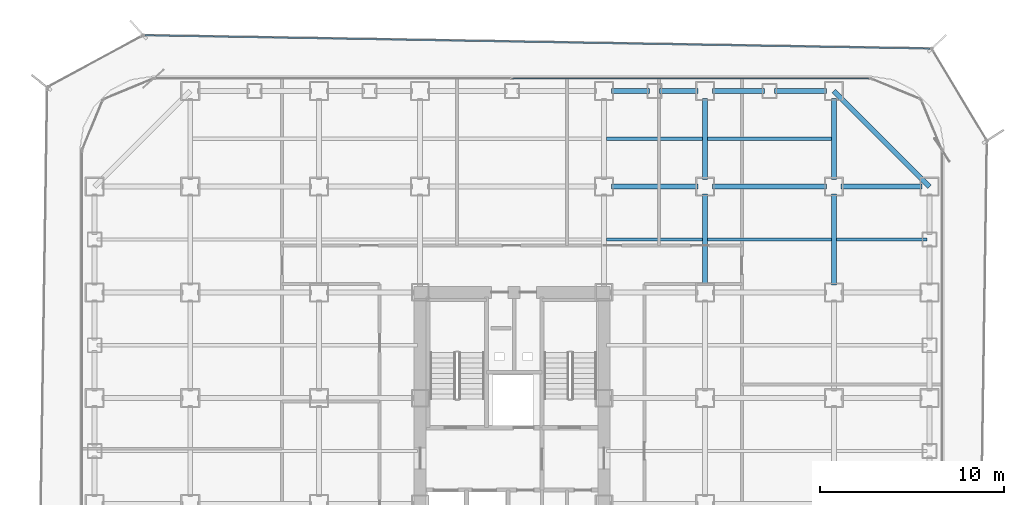
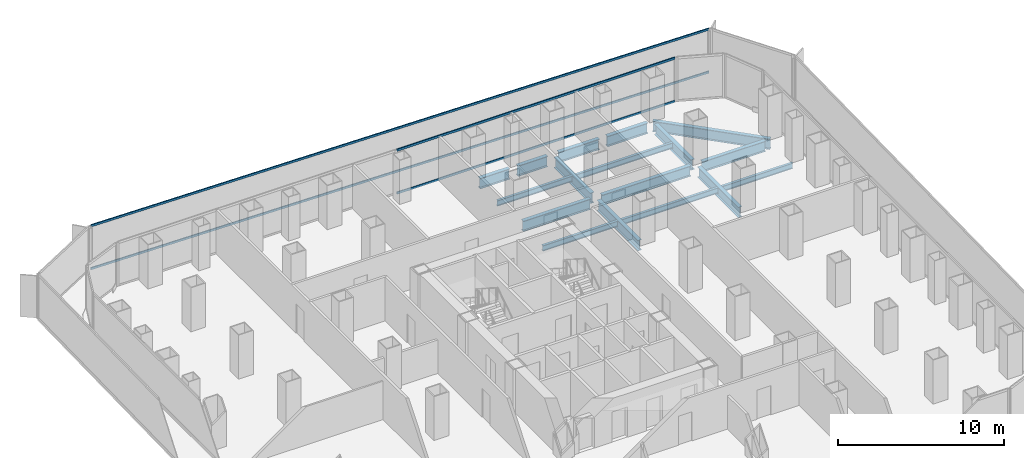
# One storey, part 14 of 22: 17 beams, 4 members, 2 elements without a shape of their own.
"""IFC4 building model written with IfcOpenShell, lengths in metres."""

from ifc_helpers import new_model, si_unit, direction, frame, origin, origin_2d, place, context, subcontext, project, spatial, hollow_rectangle, i_section, extrude, source, transform, mapped, material, layer, layer_set, material_profile, profile_set, type_object, element, aggregate, save


model = new_model("IFC4")

# Units and contexts
model_context = context("Model", 3, precision=1e-05, world=origin(), true_north=direction((0.0, 1.0)))
body_context = subcontext(model_context, "Body", "Model", "MODEL_VIEW")
ifc_project = project(units=[si_unit("LENGTHUNIT", "METRE"), si_unit("AREAUNIT", "SQUARE_METRE"), si_unit("VOLUMEUNIT", "CUBIC_METRE"), si_unit("PLANEANGLEUNIT", "RADIAN"), si_unit("MASSUNIT", "GRAM", prefix="KILO")], contexts=[model_context])

# Site, building, storey
site_placement = place(None, origin())
site = spatial("IfcSite", under=ifc_project, at=site_placement, CompositionType="ELEMENT")
building_placement = place(site_placement, origin())
building = spatial("IfcBuilding", under=site, at=building_placement, Name="Kolveth Station Tower", CompositionType="ELEMENT")
storey_placement = place(building_placement, frame((0.0, 0.0, 72.89990234375)))
storey = spatial("IfcBuildingStorey", under=building, at=storey_placement, Name="L19", CompositionType="ELEMENT", Elevation=72.89990234375)

# Beams
ifc_material_1 = material(Name="Steel S355", Category="steel")
ifc_material_profile_1 = material_profile(ifc_material_1, i_section(OverallWidth=0.26904296875, OverallDepth=0.77490234375, WebThickness=0.01708984375, FlangeThickness=0.0283203125, at=origin_2d()), Name="W760x220")
ifc_profile_set_1 = profile_set([ifc_material_profile_1], Name="Steel S355")
beam_type_1 = type_object("IfcBeamType", Name="Beam_SP1", PredefinedType="SPANDREL", material=ifc_profile_set_1)
shared_shape_1 = source(origin(), body_context, "Body", "SweptSolid", [
    extrude(i_section(OverallWidth=0.26904296875, OverallDepth=0.77490234375, WebThickness=0.01708984375, FlangeThickness=0.0283203125, at=origin_2d()), origin(), (0.0, 0.0, 1.0), 7.353759765625),
])
beam_1_placement = place(storey_placement, frame((46.199951171875, 34.5, -0.66748046875), z_axis=(-0.707106781187, 0.707106781187, 0.0), x_axis=(-0.707106781187, -0.707106781187, 0.0)))
element("IfcBeam", 1, at=beam_1_placement, inside=storey, type_object=beam_type_1, Name="L19 Corner Edge Girder BM-L19-CNR-NE", PredefinedType="SPANDREL", context=body_context, shape_type="MappedRepresentation", body=[
    mapped(shared_shape_1, transform((0.0, 0.0, 0.0), x_axis=(1.0, 0.0, 0.0), y_axis=(0.0, 1.0, 0.0), z_axis=(0.0, 0.0, 1.0), scale=1.0)),
])
shared_shape_2 = source(origin(), body_context, "Body", "SweptSolid", [
    extrude(i_section(OverallWidth=0.26904296875, OverallDepth=0.77490234375, WebThickness=0.01708984375, FlangeThickness=0.0283203125, at=origin_2d()), origin(), (0.0, 0.0, 1.0), 2.820068359375),
])
for number, where, z_axis, x_axis, name in (
    (2, (34.39990234375, 39.699951171875, -0.66748046875), (1.0, 0.0, 0.0), (0.0, 1.0, 0.0), "L19 Perimeter Spandrel BM-L19-PN-9"),
    (3, (37.780029296875, 39.699951171875, -0.66748046875), (1.0, 0.0, 0.0), (0.0, 1.0, 0.0), "L19 Perimeter Spandrel BM-L19-PN-10"),
):
    element("IfcBeam", number, at=place(storey_placement, frame(where, z_axis=z_axis, x_axis=x_axis)), inside=storey, type_object=beam_type_1, Name=name, PredefinedType="SPANDREL", context=body_context, shape_type="MappedRepresentation", body=[
        mapped(shared_shape_2, transform((0.0, 0.0, 0.0), x_axis=(1.0, 0.0, 0.0), y_axis=(0.0, 1.0, 0.0), z_axis=(0.0, 0.0, 1.0), scale=1.0)),
    ])
shared_shape_3 = source(origin(), body_context, "Body", "SweptSolid", [
    extrude(i_section(OverallWidth=0.26904296875, OverallDepth=0.77490234375, WebThickness=0.01708984375, FlangeThickness=0.0283203125, at=origin_2d()), origin(), (0.0, 0.0, 1.0), 2.070068359375),
])
for number, where, z_axis, x_axis, name in (
    (4, (28.89990234375, 39.699951171875, -0.66748046875), (1.0, 0.0, 0.0), (0.0, 1.0, 0.0), "L19 Perimeter Spandrel BM-L19-PN-7"),
    (5, (31.530029296875, 39.699951171875, -0.66748046875), (1.0, 0.0, 0.0), (0.0, 1.0, 0.0), "L19 Perimeter Spandrel BM-L19-PN-8"),
):
    element("IfcBeam", number, at=place(storey_placement, frame(where, z_axis=z_axis, x_axis=x_axis)), inside=storey, type_object=beam_type_1, Name=name, PredefinedType="SPANDREL", context=body_context, shape_type="MappedRepresentation", body=[
        mapped(shared_shape_3, transform((0.0, 0.0, 0.0), x_axis=(1.0, 0.0, 0.0), y_axis=(0.0, 1.0, 0.0), z_axis=(0.0, 0.0, 1.0), scale=1.0)),
    ])
ifc_material_profile_2 = material_profile(ifc_material_1, i_section(OverallWidth=0.26708984375, OverallDepth=0.76611328125, WebThickness=0.014892578125, FlangeThickness=0.023681640625, at=origin_2d()), Name="W760x185")
ifc_profile_set_2 = profile_set([ifc_material_profile_2], Name="Steel S355")
beam_type_2 = type_object("IfcBeamType", Name="Beam_B3", PredefinedType="BEAM", material=ifc_profile_set_2)
shared_shape_4 = source(origin(), body_context, "Body", "SweptSolid", [
    extrude(i_section(OverallWidth=0.26708984375, OverallDepth=0.76611328125, WebThickness=0.014892578125, FlangeThickness=0.023681640625, at=origin_2d()), origin(), (0.0, 0.0, 1.0), 4.400146484375),
])
for number, where, z_axis, x_axis, name in (
    (6, (41.39990234375, 34.5, -0.662841796875), (1.0, 0.0, 0.0), (0.0, 1.0, 0.0), "L19 Primary Girder BM-L19-GY345-7"),
    (7, (34.0, 34.89990234375, -0.662841796875), (0.0, 1.0, 0.0), (-1.0, 0.0, 0.0), "L19 Primary Girder BM-L19-GX340-7"),
    (8, (41.0, 34.89990234375, -0.662841796875), (0.0, 1.0, 0.0), (-1.0, 0.0, 0.0), "L19 Primary Girder BM-L19-GX410-7"),
):
    element("IfcBeam", number, at=place(storey_placement, frame(where, z_axis=z_axis, x_axis=x_axis)), inside=storey, type_object=beam_type_2, Name=name, PredefinedType="BEAM", context=body_context, shape_type="MappedRepresentation", body=[
        mapped(shared_shape_4, transform((0.0, 0.0, 0.0), x_axis=(1.0, 0.0, 0.0), y_axis=(0.0, 1.0, 0.0), z_axis=(0.0, 0.0, 1.0), scale=1.0)),
    ])
shared_shape_5 = source(origin(), body_context, "Body", "SweptSolid", [
    extrude(i_section(OverallWidth=0.26708984375, OverallDepth=0.76611328125, WebThickness=0.014892578125, FlangeThickness=0.023681640625, at=origin_2d()), origin(), (0.0, 0.0, 1.0), 6.2001953125),
])
beam_2_placement = place(storey_placement, frame((34.39990234375, 34.5, -0.662841796875), z_axis=(1.0, 0.0, 0.0), x_axis=(0.0, 1.0, 0.0)))
element("IfcBeam", 9, at=beam_2_placement, inside=storey, type_object=beam_type_2, Name="L19 Primary Girder BM-L19-GY345-6", PredefinedType="BEAM", context=body_context, shape_type="MappedRepresentation", body=[
    mapped(shared_shape_5, transform((0.0, 0.0, 0.0), x_axis=(1.0, 0.0, 0.0), y_axis=(0.0, 1.0, 0.0), z_axis=(0.0, 0.0, 1.0), scale=1.0)),
])
shared_shape_6 = source(origin(), body_context, "Body", "SweptSolid", [
    extrude(i_section(OverallWidth=0.26708984375, OverallDepth=0.76611328125, WebThickness=0.014892578125, FlangeThickness=0.023681640625, at=origin_2d()), origin(), (0.0, 0.0, 1.0), 4.7001953125),
])
beam_3_placement = place(storey_placement, frame((28.89990234375, 34.5, -0.662841796875), z_axis=(1.0, 0.0, 0.0), x_axis=(0.0, 1.0, 0.0)))
element("IfcBeam", 10, at=beam_3_placement, inside=storey, type_object=beam_type_2, Name="L19 Primary Girder BM-L19-GY345-5", PredefinedType="BEAM", context=body_context, shape_type="MappedRepresentation", body=[
    mapped(shared_shape_6, transform((0.0, 0.0, 0.0), x_axis=(1.0, 0.0, 0.0), y_axis=(0.0, 1.0, 0.0), z_axis=(0.0, 0.0, 1.0), scale=1.0)),
])
shared_shape_7 = source(origin(), body_context, "Body", "SweptSolid", [
    extrude(i_section(OverallWidth=0.26708984375, OverallDepth=0.76611328125, WebThickness=0.014892578125, FlangeThickness=0.023681640625, at=origin_2d()), origin(), (0.0, 0.0, 1.0), 4.9501953125),
])
for number, where, z_axis, x_axis, name in (
    (11, (34.0, 29.14990234375, -0.662841796875), (0.0, 1.0, 0.0), (-1.0, 0.0, 0.0), "L19 Primary Girder BM-L19-GX340-6"),
    (12, (41.0, 29.14990234375, -0.662841796875), (0.0, 1.0, 0.0), (-1.0, 0.0, 0.0), "L19 Primary Girder BM-L19-GX410-6"),
):
    element("IfcBeam", number, at=place(storey_placement, frame(where, z_axis=z_axis, x_axis=x_axis)), inside=storey, type_object=beam_type_2, Name=name, PredefinedType="BEAM", context=body_context, shape_type="MappedRepresentation", body=[
        mapped(shared_shape_7, transform((0.0, 0.0, 0.0), x_axis=(1.0, 0.0, 0.0), y_axis=(0.0, 1.0, 0.0), z_axis=(0.0, 0.0, 1.0), scale=1.0)),
    ])
ifc_material_profile_3 = material_profile(ifc_material_1, i_section(OverallWidth=0.177978515625, OverallDepth=0.406982421875, WebThickness=0.0078125, FlangeThickness=0.0126953125, at=origin_2d()), Name="W410x60")
ifc_profile_set_3 = profile_set([ifc_material_profile_3], Name="Steel S355")
beam_type_3 = type_object("IfcBeamType", Name="Beam_J1", PredefinedType="JOIST", material=ifc_profile_set_3)
shared_shape_8 = source(origin(), body_context, "Body", "SweptSolid", [
    extrude(i_section(OverallWidth=0.177978515625, OverallDepth=0.406982421875, WebThickness=0.0078125, FlangeThickness=0.0126953125, at=origin_2d()), origin(), (0.0, 0.0, 1.0), 4.935791015625),
])
beam_4_placement = place(storey_placement, frame((41.131591796875, 31.625, -0.4833984375), z_axis=(1.0, 0.0, 0.0), x_axis=(0.0, 1.0, 0.0)))
element("IfcBeam", 13, at=beam_4_placement, inside=storey, type_object=beam_type_3, Name="L19 Secondary Joist JST-L19-7-6", PredefinedType="JOIST", context=body_context, shape_type="MappedRepresentation", body=[
    mapped(shared_shape_8, transform((0.0, 0.0, 0.0), x_axis=(1.0, 0.0, 0.0), y_axis=(0.0, 1.0, 0.0), z_axis=(0.0, 0.0, 1.0), scale=1.0)),
])
shared_shape_9 = source(origin(), body_context, "Body", "SweptSolid", [
    extrude(i_section(OverallWidth=0.177978515625, OverallDepth=0.406982421875, WebThickness=0.0078125, FlangeThickness=0.0126953125, at=origin_2d()), origin(), (0.0, 0.0, 1.0), 6.73681640625),
])
for number, where, z_axis, x_axis, name in (
    (14, (34.131591796875, 31.625, -0.4833984375), (1.0, 0.0, 0.0), (0.0, 1.0, 0.0), "L19 Secondary Joist JST-L19-6-6"),
    (15, (34.131591796875, 37.10009765625, -0.4833984375), (1.0, 0.0, 0.0), (0.0, 1.0, 0.0), "L19 Secondary Joist JST-L19-6-7"),
):
    element("IfcBeam", number, at=place(storey_placement, frame(where, z_axis=z_axis, x_axis=x_axis)), inside=storey, type_object=beam_type_3, Name=name, PredefinedType="JOIST", context=body_context, shape_type="MappedRepresentation", body=[
        mapped(shared_shape_9, transform((0.0, 0.0, 0.0), x_axis=(1.0, 0.0, 0.0), y_axis=(0.0, 1.0, 0.0), z_axis=(0.0, 0.0, 1.0), scale=1.0)),
    ])
shared_shape_10 = source(origin(), body_context, "Body", "SweptSolid", [
    extrude(i_section(OverallWidth=0.177978515625, OverallDepth=0.406982421875, WebThickness=0.0078125, FlangeThickness=0.0126953125, at=origin_2d()), origin(), (0.0, 0.0, 1.0), 5.23681640625),
])
for number, where, z_axis, x_axis, name in (
    (16, (28.631591796875, 31.625, -0.4833984375), (1.0, 0.0, 0.0), (0.0, 1.0, 0.0), "L19 Secondary Joist JST-L19-5-6"),
    (17, (28.631591796875, 37.10009765625, -0.4833984375), (1.0, 0.0, 0.0), (0.0, 1.0, 0.0), "L19 Secondary Joist JST-L19-5-7"),
):
    element("IfcBeam", number, at=place(storey_placement, frame(where, z_axis=z_axis, x_axis=x_axis)), inside=storey, type_object=beam_type_3, Name=name, PredefinedType="JOIST", context=body_context, shape_type="MappedRepresentation", body=[
        mapped(shared_shape_10, transform((0.0, 0.0, 0.0), x_axis=(1.0, 0.0, 0.0), y_axis=(0.0, 1.0, 0.0), z_axis=(0.0, 0.0, 1.0), scale=1.0)),
    ])

# Curtain wall, members
ifc_material_2 = material(Name="Aluminium 6063-T6 and low-E dark glass", Category="aluminium")
ifc_layer_1 = layer(ifc_material_2, 0.179931640625)
ifc_layer_set_1 = layer_set([ifc_layer_1], Name="Aluminium 6063-T6 and low-E dark glass")
curtain_wall_type_1 = type_object("IfcCurtainWallType", Name="CurtainWall_CW-Z1", PredefinedType="NOTDEFINED", material=ifc_layer_set_1)
curtain_wall_1_placement = place(storey_placement, origin())
curtain_wall_1 = element("IfcCurtainWall", 18, at=curtain_wall_1_placement, inside=storey, type_object=curtain_wall_type_1, Name="L19 Inner Thermal Curtain Wall 6", PredefinedType="NOTDEFINED")
ifc_material_3 = material(Name="Black anodized aluminium 6063-T6", Category="aluminium")
ifc_material_profile_4 = material_profile(ifc_material_3, hollow_rectangle(XDim=0.074951171875, YDim=0.159912109375, WallThickness=0.0048828125, at=origin_2d()), Name="ALU-75x160x5")
ifc_profile_set_4 = profile_set([ifc_material_profile_4], Name="Black anodized aluminium 6063-T6")
member_type_1 = type_object("IfcMemberType", Name="Transom_TR1", PredefinedType="USERDEFINED", material=ifc_profile_set_4)
shared_shape_11 = source(origin(), body_context, "Body", "SweptSolid", [
    extrude(hollow_rectangle(XDim=0.074951171875, YDim=0.159912109375, WallThickness=0.0048828125, at=origin_2d()), origin(), (0.0, 0.0, 1.0), 19.387451171875),
])
member_1_placement = place(storey_placement, frame((42.925048828125, 40.3798828125, 0.03759765625), z_axis=(-1.0, 0.0, 0.0), x_axis=(0.0, -1.0, 0.0)))
member_1 = element("IfcMember", 19, at=member_1_placement, type_object=member_type_1, Name="CW-Z1 transom 1.1", ObjectType="TRANSOM", PredefinedType="USERDEFINED", context=body_context, shape_type="MappedRepresentation", body=[
    mapped(shared_shape_11, transform((0.0, 0.0, 0.0), x_axis=(1.0, 0.0, 0.0), y_axis=(0.0, 1.0, 0.0), z_axis=(0.0, 0.0, 1.0), scale=1.0)),
])
member_2_placement = place(storey_placement, frame((42.925048828125, 40.3798828125, 3.20263671875), z_axis=(-1.0, 0.0, 0.0), x_axis=(0.0, -1.0, 0.0)))
member_2 = element("IfcMember", 20, at=member_2_placement, type_object=member_type_1, Name="CW-Z1 transom 1.2", ObjectType="TRANSOM", PredefinedType="USERDEFINED", context=body_context, shape_type="MappedRepresentation", body=[
    mapped(shared_shape_11, transform((0.0, 0.0, 0.0), x_axis=(1.0, 0.0, 0.0), y_axis=(0.0, 1.0, 0.0), z_axis=(0.0, 0.0, 1.0), scale=1.0)),
])
aggregate(curtain_wall_1, [member_1, member_2])

ifc_material_4 = material(Name="Black anodized aluminium 6063-T6 and dark solar glass", Category="aluminium")
ifc_layer_2 = layer(ifc_material_4, 0.159912109375)
ifc_layer_set_2 = layer_set([ifc_layer_2], Name="Black anodized aluminium 6063-T6 and dark solar glass")
curtain_wall_type_2 = type_object("IfcCurtainWallType", Name="OUTER SKIN CW-OS", PredefinedType="NOTDEFINED", material=ifc_layer_set_2)
curtain_wall_2_placement = place(storey_placement, origin())
curtain_wall_2 = element("IfcCurtainWall", 21, at=curtain_wall_2_placement, inside=storey, type_object=curtain_wall_type_2, Name="L19 Outer Ventilated Skin Curtain Wall 4", PredefinedType="NOTDEFINED")
ifc_material_profile_5 = material_profile(ifc_material_3, hollow_rectangle(XDim=0.080078125, YDim=0.14990234375, WallThickness=0.0048828125, at=origin_2d()), Name="ALU-80x150x5")
ifc_profile_set_5 = profile_set([ifc_material_profile_5], Name="Black anodized aluminium 6063-T6")
member_type_2 = type_object("IfcMemberType", Name="Transom_TR-OS", PredefinedType="USERDEFINED", material=ifc_profile_set_5)
shared_shape_12 = source(origin(), body_context, "Body", "SweptSolid", [
    extrude(hollow_rectangle(XDim=0.080078125, YDim=0.14990234375, WallThickness=0.0048828125, at=origin_2d()), origin(), (0.0, 0.0, 1.0), 42.700439453125),
])
member_3_placement = place(storey_placement, frame((46.2353515625, 42.007568359375, 0.0400390625), z_axis=(-0.999857168043, 0.016900991495, 0.0), x_axis=(-0.016900991495, -0.999857168043, 0.0)))
member_3 = element("IfcMember", 22, at=member_3_placement, type_object=member_type_2, Name="CW-OS transom 1.1", ObjectType="TRANSOM", PredefinedType="USERDEFINED", context=body_context, shape_type="MappedRepresentation", body=[
    mapped(shared_shape_12, transform((0.0, 0.0, 0.0), x_axis=(1.0, 0.0, 0.0), y_axis=(0.0, 1.0, 0.0), z_axis=(0.0, 0.0, 1.0), scale=1.0)),
])
member_4_placement = place(storey_placement, frame((46.2353515625, 42.007568359375, 3.2001953125), z_axis=(-0.999857168043, 0.016900991495, 0.0), x_axis=(-0.016900991495, -0.999857168043, 0.0)))
member_4 = element("IfcMember", 23, at=member_4_placement, type_object=member_type_2, Name="CW-OS transom 1.2", ObjectType="TRANSOM", PredefinedType="USERDEFINED", context=body_context, shape_type="MappedRepresentation", body=[
    mapped(shared_shape_12, transform((0.0, 0.0, 0.0), x_axis=(1.0, 0.0, 0.0), y_axis=(0.0, 1.0, 0.0), z_axis=(0.0, 0.0, 1.0), scale=1.0)),
])
aggregate(curtain_wall_2, [member_3, member_4])

save(model, "model.ifc")
